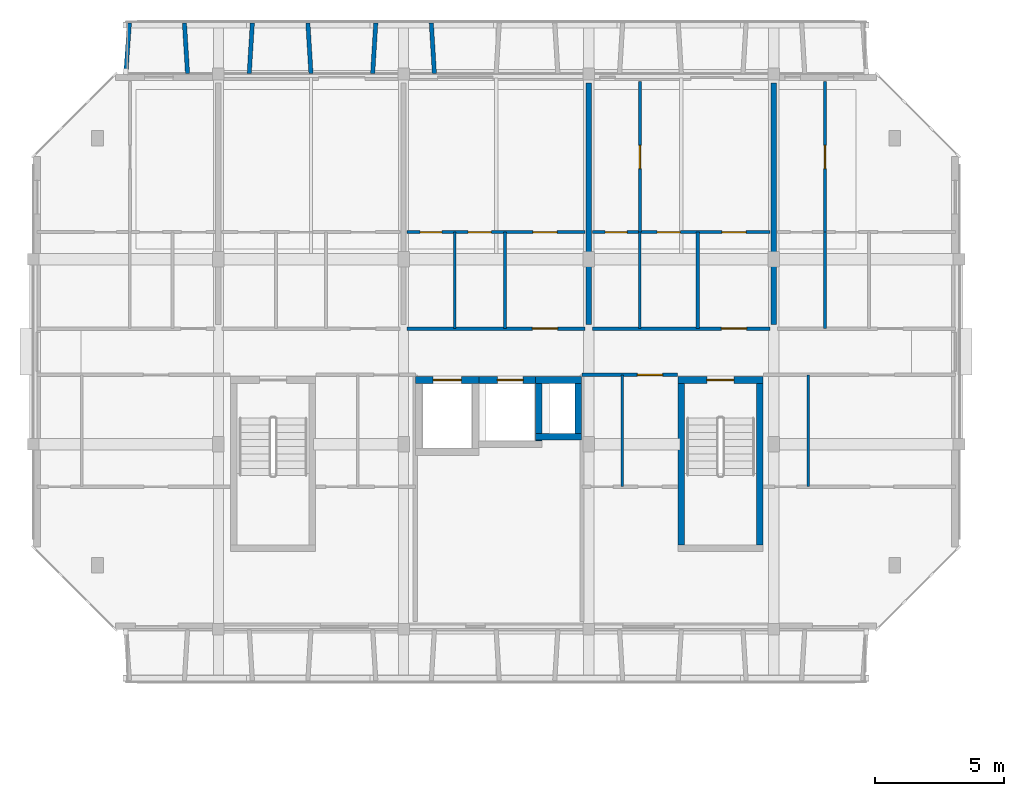
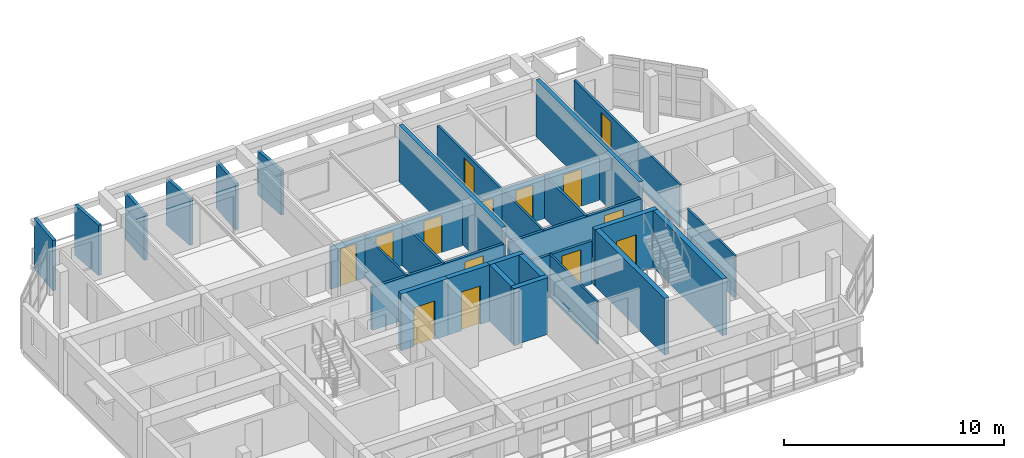
# One storey, part 23 of 43: 31 walls, 14 doors, 14 openings.
"""IFC4 building model written with IfcOpenShell, lengths in metres."""

from ifc_helpers import new_model, si_unit, direction, frame, frame_2d, origin, place, context, subcontext, project, spatial, rectangle, extrude, material, layer, layer_set, type_object, element, fill, save


model = new_model("IFC4")

# Units and contexts
model_context = context("Model", 3, precision=1e-05, world=origin(), true_north=direction((0.0, 1.0)))
body_context = subcontext(model_context, "Body", "Model", "MODEL_VIEW")
ifc_project = project(units=[si_unit("LENGTHUNIT", "METRE"), si_unit("AREAUNIT", "SQUARE_METRE"), si_unit("VOLUMEUNIT", "CUBIC_METRE"), si_unit("PLANEANGLEUNIT", "RADIAN"), si_unit("MASSUNIT", "GRAM", prefix="KILO")], contexts=[model_context])

# Site, building, storey
site_placement = place(None, origin())
site = spatial("IfcSite", under=ifc_project, at=site_placement, CompositionType="ELEMENT")
building_placement = place(site_placement, origin())
building = spatial("IfcBuilding", under=site, at=building_placement, Name="Ochrevale Crest", CompositionType="ELEMENT")
storey_placement = place(building_placement, frame((0.0, 0.0, 30.75)))
storey = spatial("IfcBuildingStorey", under=building, at=storey_placement, Name="L09", CompositionType="ELEMENT", Elevation=30.75)

# Wall, opening, door
ifc_material_1 = material(Name="Gypsum plasterboard", Category="gypsum")
ifc_layer_1 = layer(ifc_material_1, 0.139892578125)
ifc_layer_set_1 = layer_set([ifc_layer_1], Name="Gypsum plasterboard")
wall_type_1 = type_object("IfcWallType", Name="WL-COR-140", PredefinedType="PARTITIONING", material=ifc_layer_set_1)
wall_1_placement = place(storey_placement, frame((14.5400390625, 83.699951171875, 0.0), z_axis=(0.0, 0.0, 1.0), x_axis=(1.0, 0.0, 0.0)))
wall_1 = element("IfcWall", 1, at=wall_1_placement, inside=storey, type_object=wall_type_1, Name="Apartment B-L09-U3 corridor wall", PredefinedType="PARTITIONING", context=body_context, shape_type="SweptSolid", body=[
    extrude(rectangle(XDim=6.919921875, YDim=0.139892578125, at=frame_2d((3.4599609375, 0.0))), origin(), (0.0, 0.0, 1.0), 2.3798828125),
])
opening_1_placement = place(wall_1_placement, frame((5.85009765625, 0.0, 0.0), z_axis=(0.0, 0.0, 1.0), x_axis=(-1.0, 0.0, 0.0)))
opening_1 = element("IfcOpeningElement", 2, at=opening_1_placement, cuts=wall_1, Name="Opening FD01", PredefinedType="OPENING", context=body_context, shape_type="SweptSolid", body=[
    extrude(rectangle(XDim=0.97998046875, YDim=2.10009765625, at=frame_2d((0.489990234375, 1.050048828125))), frame((0.0, 0.080078125, 0.0), z_axis=(0.0, -1.0, 0.0), x_axis=(1.0, 0.0, 0.0)), (0.0, 0.0, 1.0), 0.159912109375),
])
ifc_material_2 = material(Name="Solid-core FSC hardwood", Category="wood")
door_type_1 = type_object("IfcDoorType", Name="DR-APT-950", OperationType="NOTDEFINED", PredefinedType="DOOR", material=ifc_material_2)
door_1_placement = place(opening_1_placement, origin())
door_1 = element("IfcDoor", 3, at=door_1_placement, inside=storey, type_object=door_type_1, Name="Apartment B-L09-U3 entrance door", OperationType="SINGLE_SWING_RIGHT", OverallHeight=2.10009765625, OverallWidth=0.97998046875, PredefinedType="DOOR", context=body_context, shape_type="SweptSolid", body=[
    extrude(rectangle(XDim=0.97998046875, YDim=2.10009765625, at=frame_2d((0.489990234375, 1.050048828125))), frame((0.0, 0.02490234375, 0.0), z_axis=(0.0, -1.0, 0.0), x_axis=(1.0, 0.0, 0.0)), (0.0, 0.0, 1.0), 0.050048828125),
])
fill(opening_1, door_1)

wall_2_placement = place(storey_placement, frame((21.739990234375, 83.699951171875, 0.0), z_axis=(0.0, 0.0, 1.0), x_axis=(1.0, 0.0, 0.0)))
wall_2 = element("IfcWall", 4, at=wall_2_placement, inside=storey, type_object=wall_type_1, Name="Apartment B-L09-U4 corridor wall", PredefinedType="PARTITIONING", context=body_context, shape_type="SweptSolid", body=[
    extrude(rectangle(XDim=6.919921875, YDim=0.139892578125, at=frame_2d((3.4599609375, 0.0))), origin(), (0.0, 0.0, 1.0), 2.3798828125),
])
opening_2_placement = place(wall_2_placement, frame((6.0, 0.0, 0.0), z_axis=(0.0, 0.0, 1.0), x_axis=(-1.0, 0.0, 0.0)))
opening_2 = element("IfcOpeningElement", 5, at=opening_2_placement, cuts=wall_2, Name="Opening FD01", PredefinedType="OPENING", context=body_context, shape_type="SweptSolid", body=[
    extrude(rectangle(XDim=0.97998046875, YDim=2.10009765625, at=frame_2d((0.489990234375, 1.050048828125))), frame((0.0, 0.080078125, 0.0), z_axis=(0.0, -1.0, 0.0), x_axis=(1.0, 0.0, 0.0)), (0.0, 0.0, 1.0), 0.159912109375),
])
door_2_placement = place(opening_2_placement, origin())
door_2 = element("IfcDoor", 6, at=door_2_placement, inside=storey, type_object=door_type_1, Name="Apartment B-L09-U4 entrance door", OperationType="SINGLE_SWING_RIGHT", OverallHeight=2.10009765625, OverallWidth=0.97998046875, PredefinedType="DOOR", context=body_context, shape_type="SweptSolid", body=[
    extrude(rectangle(XDim=0.97998046875, YDim=2.10009765625, at=frame_2d((0.489990234375, 1.050048828125))), frame((0.0, 0.02490234375, 0.0), z_axis=(0.0, -1.0, 0.0), x_axis=(1.0, 0.0, 0.0)), (0.0, 0.0, 1.0), 0.050048828125),
])
fill(opening_2, door_2)

wall_3_placement = place(storey_placement, frame((21.340087890625, 81.89990234375, 0.0), z_axis=(0.0, 0.0, 1.0), x_axis=(1.0, 0.0, 0.0)))
wall_3 = element("IfcWall", 7, at=wall_3_placement, inside=storey, type_object=wall_type_1, Name="Suite B-L09-ME corridor wall", PredefinedType="PARTITIONING", context=body_context, shape_type="SweptSolid", body=[
    extrude(rectangle(XDim=3.719970703125, YDim=0.139892578125, at=frame_2d((1.85986328125, 0.0))), origin(), (0.0, 0.0, 1.0), 2.3798828125),
])
opening_3_placement = place(wall_3_placement, frame((3.131103515625, 0.0, 0.0), z_axis=(0.0, 0.0, 1.0), x_axis=(-1.0, 0.0, 0.0)))
opening_3 = element("IfcOpeningElement", 8, at=opening_3_placement, cuts=wall_3, Name="Opening FD01", PredefinedType="OPENING", context=body_context, shape_type="SweptSolid", body=[
    extrude(rectangle(XDim=0.97998046875, YDim=2.10009765625, at=frame_2d((0.489990234375, 1.050048828125))), frame((0.0, 0.080078125, 0.0), z_axis=(0.0, -1.0, 0.0), x_axis=(1.0, 0.0, 0.0)), (0.0, 0.0, 1.0), 0.159912109375),
])
door_3_placement = place(opening_3_placement, origin())
door_3 = element("IfcDoor", 9, at=door_3_placement, inside=storey, type_object=door_type_1, Name="Suite B-L09-ME entrance door", OperationType="SINGLE_SWING_RIGHT", OverallHeight=2.10009765625, OverallWidth=0.97998046875, PredefinedType="DOOR", context=body_context, shape_type="SweptSolid", body=[
    extrude(rectangle(XDim=0.97998046875, YDim=2.10009765625, at=frame_2d((0.489990234375, 1.050048828125))), frame((0.0, 0.02490234375, 0.0), z_axis=(0.0, -1.0, 0.0), x_axis=(1.0, 0.0, 0.0)), (0.0, 0.0, 1.0), 0.050048828125),
])
fill(opening_3, door_3)

ifc_material_3 = material(Name="Precast concrete C50/60", Category="concrete")
ifc_layer_2 = layer(ifc_material_3, 0.2548828125)
ifc_layer_set_2 = layer_set([ifc_layer_2], Name="Precast concrete C50/60")
wall_type_2 = type_object("IfcWallType", Name="WL-CORE-255", PredefinedType="SHEAR", material=ifc_layer_set_2)
wall_4_placement = place(storey_placement, frame((25.072509765625, 81.699951171875, 0.0), z_axis=(0.0, 0.0, 1.0), x_axis=(1.0, 0.0, 0.0)))
wall_4 = element("IfcWall", 10, at=wall_4_placement, inside=storey, type_object=wall_type_2, Name="Block B L09 Stair 2 precast core shear wall N", PredefinedType="SHEAR", context=body_context, shape_type="SweptSolid", body=[
    extrude(rectangle(XDim=3.304931640625, YDim=0.2548828125, at=frame_2d((1.65234375, 0.0))), origin(), (0.0, 0.0, 1.0), 3.14990234375),
])
opening_4_placement = place(wall_4_placement, frame((1.12744140625, 0.0, 0.0)))
opening_4 = element("IfcOpeningElement", 11, at=opening_4_placement, cuts=wall_4, Name="Opening FD03", PredefinedType="OPENING", context=body_context, shape_type="SweptSolid", body=[
    extrude(rectangle(XDim=1.050048828125, YDim=2.1201171875, at=frame_2d((0.52490234375, 1.06005859375))), frame((0.0, 0.137451171875, 0.0), z_axis=(0.0, -1.0, 0.0), x_axis=(1.0, 0.0, 0.0)), (0.0, 0.0, 1.0), 0.27490234375),
])
door_type_2 = type_object("IfcDoorType", Name="DR-ST-1050", OperationType="NOTDEFINED", PredefinedType="DOOR", material=ifc_material_2)
door_4_placement = place(opening_4_placement, origin())
door_4 = element("IfcDoor", 12, at=door_4_placement, inside=storey, type_object=door_type_2, Name="Block B L09 fire stair 2 door", OperationType="SINGLE_SWING_LEFT", OverallHeight=2.1201171875, OverallWidth=1.050048828125, PredefinedType="DOOR", context=body_context, shape_type="SweptSolid", body=[
    extrude(rectangle(XDim=1.050048828125, YDim=2.1201171875, at=frame_2d((0.52490234375, 1.06005859375))), frame((0.0, 0.02490234375, 0.0), z_axis=(0.0, -1.0, 0.0), x_axis=(1.0, 0.0, 0.0)), (0.0, 0.0, 1.0), 0.050048828125),
])
fill(opening_4, door_4)

# Walls
for number, where, z_axis, x_axis, name in (
    (13, (25.199951171875, 75.277587890625, 0.0), (0.0, 0.0, 1.0), (0.0, 1.0, 0.0), "Block B L09 Stair 2 precast core shear wall W"),
    (14, (28.25, 75.277587890625, 0.0), (0.0, 0.0, 1.0), (0.0, 1.0, 0.0), "Block B L09 Stair 2 precast core shear wall E"),
):
    element("IfcWall", number, at=place(storey_placement, frame(where, z_axis=z_axis, x_axis=x_axis)), inside=storey, type_object=wall_type_2, Name=name, PredefinedType="SHEAR", context=body_context, shape_type="SweptSolid", body=[
        extrude(rectangle(XDim=6.294921875, YDim=0.2548828125, at=frame_2d((3.1474609375, 0.0))), origin(), (0.0, 0.0, 1.0), 3.14990234375),
    ])

# Wall, opening, door
wall_5_placement = place(storey_placement, frame((14.87255859375, 81.699951171875, 0.0), z_axis=(0.0, 0.0, 1.0), x_axis=(1.0, 0.0, 0.0)))
wall_5 = element("IfcWall", 15, at=wall_5_placement, inside=storey, type_object=wall_type_2, Name="Block B L09 Lift 1 precast shaft shear wall N", PredefinedType="SHEAR", context=body_context, shape_type="SweptSolid", body=[
    extrude(rectangle(XDim=2.454833984375, YDim=0.2548828125, at=frame_2d((1.2275390625, 0.0))), origin(), (0.0, 0.0, 1.0), 3.14990234375),
])
opening_5_placement = place(wall_5_placement, frame((0.677490234375, 0.0, 0.0)))
opening_5 = element("IfcOpeningElement", 16, at=opening_5_placement, cuts=wall_5, Name="Opening LD01", PredefinedType="OPENING", context=body_context, shape_type="SweptSolid", body=[
    extrude(rectangle(XDim=1.10009765625, YDim=2.14990234375, at=frame_2d((0.550048828125, 1.074951171875))), frame((0.0, 0.137451171875, 0.0), z_axis=(0.0, -1.0, 0.0), x_axis=(1.0, 0.0, 0.0)), (0.0, 0.0, 1.0), 0.27490234375),
])
door_type_3 = type_object("IfcDoorType", Name="DR-LIFT-1100", OperationType="NOTDEFINED", PredefinedType="DOOR", material=ifc_material_2)
door_5_placement = place(opening_5_placement, origin())
door_5 = element("IfcDoor", 17, at=door_5_placement, inside=storey, type_object=door_type_3, Name="Lift LF-B1 L09 sliding landing door", OperationType="SLIDING_TO_LEFT", OverallHeight=2.14990234375, OverallWidth=1.10009765625, PredefinedType="DOOR", context=body_context, shape_type="SweptSolid", body=[
    extrude(rectangle(XDim=1.10009765625, YDim=2.14990234375, at=frame_2d((0.550048828125, 1.074951171875))), frame((0.0, 0.02490234375, 0.0), z_axis=(0.0, -1.0, 0.0), x_axis=(1.0, 0.0, 0.0)), (0.0, 0.0, 1.0), 0.050048828125),
])
fill(opening_5, door_5)

wall_6_placement = place(storey_placement, frame((17.322509765625, 81.699951171875, 0.0), z_axis=(0.0, 0.0, 1.0), x_axis=(1.0, 0.0, 0.0)))
wall_6 = element("IfcWall", 18, at=wall_6_placement, inside=storey, type_object=wall_type_2, Name="Block B L09 Lift 2 precast shaft shear wall N", PredefinedType="SHEAR", context=body_context, shape_type="SweptSolid", body=[
    extrude(rectangle(XDim=2.455078125, YDim=0.2548828125, at=frame_2d((1.2275390625, 0.0))), origin(), (0.0, 0.0, 1.0), 3.14990234375),
])
opening_6_placement = place(wall_6_placement, frame((0.7275390625, 0.0, 0.0)))
opening_6 = element("IfcOpeningElement", 19, at=opening_6_placement, cuts=wall_6, Name="Opening LD02", PredefinedType="OPENING", context=body_context, shape_type="SweptSolid", body=[
    extrude(rectangle(XDim=1.0, YDim=2.14990234375, at=frame_2d((0.5, 1.074951171875))), frame((0.0, 0.137451171875, 0.0), z_axis=(0.0, -1.0, 0.0), x_axis=(1.0, 0.0, 0.0)), (0.0, 0.0, 1.0), 0.27490234375),
])
door_type_4 = type_object("IfcDoorType", Name="DR-LIFT-1000", OperationType="NOTDEFINED", PredefinedType="DOOR", material=ifc_material_2)
door_6_placement = place(opening_6_placement, origin())
door_6 = element("IfcDoor", 20, at=door_6_placement, inside=storey, type_object=door_type_4, Name="Lift LP-B2 L09 sliding landing door", OperationType="SLIDING_TO_RIGHT", OverallHeight=2.14990234375, OverallWidth=1.0, PredefinedType="DOOR", context=body_context, shape_type="SweptSolid", body=[
    extrude(rectangle(XDim=1.0, YDim=2.14990234375, at=frame_2d((0.5, 1.074951171875))), frame((0.0, 0.02490234375, 0.0), z_axis=(0.0, -1.0, 0.0), x_axis=(1.0, 0.0, 0.0)), (0.0, 0.0, 1.0), 0.050048828125),
])
fill(opening_6, door_6)

# Walls
wall_7_placement = place(storey_placement, frame((19.64990234375, 79.327392578125, 0.0), z_axis=(0.0, 0.0, 1.0), x_axis=(0.0, 1.0, 0.0)))
element("IfcWall", 21, at=wall_7_placement, inside=storey, type_object=wall_type_2, Name="Block B L09 Lift 2 precast shaft shear wall E", PredefinedType="SHEAR", context=body_context, shape_type="SweptSolid", body=[
    extrude(rectangle(XDim=2.2451171875, YDim=0.2548828125, at=frame_2d((1.12255859375, 0.0))), origin(), (0.0, 0.0, 1.0), 3.14990234375),
])
for number, where, z_axis, x_axis, name in (
    (22, (19.5224609375, 79.5, 0.0), (0.0, 0.0, 1.0), (1.0, 0.0, 0.0), "Block B L09 services riser shaft core wall S"),
    (23, (19.5224609375, 81.699951171875, 0.0), (0.0, 0.0, 1.0), (1.0, 0.0, 0.0), "Block B L09 services riser shaft core wall N"),
):
    element("IfcWall", number, at=place(storey_placement, frame(where, z_axis=z_axis, x_axis=x_axis)), inside=storey, type_object=wall_type_2, Name=name, PredefinedType="SHEAR", context=body_context, shape_type="SweptSolid", body=[
        extrude(rectangle(XDim=1.804931640625, YDim=0.2548828125, at=frame_2d((0.90234375, 0.0))), origin(), (0.0, 0.0, 1.0), 3.14990234375),
    ])
wall_8_placement = place(storey_placement, frame((21.199951171875, 79.62744140625, 0.0), z_axis=(0.0, 0.0, 1.0), x_axis=(0.0, 1.0, 0.0)))
element("IfcWall", 24, at=wall_8_placement, inside=storey, type_object=wall_type_2, Name="Block B L09 services riser shaft core wall E", PredefinedType="SHEAR", context=body_context, shape_type="SweptSolid", body=[
    extrude(rectangle(XDim=1.945068359375, YDim=0.2548828125, at=frame_2d((0.97265625, 0.0))), origin(), (0.0, 0.0, 1.0), 3.14990234375),
])
ifc_material_4 = material(Name="Precast concrete C40/50", Category="concrete")
ifc_layer_3 = layer(ifc_material_4, 0.1650390625)
ifc_layer_set_3 = layer_set([ifc_layer_3], Name="Precast concrete C40/50")
wall_type_3 = type_object("IfcWallType", Name="WL-HC-CHEEK-165", PredefinedType="ELEMENTEDWALL", material=ifc_layer_set_3)
wall_9_placement = place(storey_placement, frame((3.60009765625, 93.6201171875, 0.0), z_axis=(0.0, 0.0, 1.0), x_axis=(0.071194071069, 0.997462482625, 0.0)))
element("IfcWall", 25, at=wall_9_placement, inside=storey, type_object=wall_type_3, Name="Block B L09 N precast honeycomb cheek 1", PredefinedType="ELEMENTEDWALL", context=body_context, shape_type="SweptSolid", body=[
    extrude(rectangle(XDim=1.96484375, YDim=0.1650390625, at=frame_2d((0.982421875, 0.0))), origin(), (0.0, 0.0, 1.0), 2.800048828125),
])
wall_10_placement = place(storey_placement, frame((6.0, 93.6201171875, 0.0), z_axis=(0.0, 0.0, 1.0), x_axis=(-0.061170732449, 0.998127317276, 0.0)))
element("IfcWall", 26, at=wall_10_placement, inside=storey, type_object=wall_type_3, Name="Block B L09 N precast honeycomb cheek 2", PredefinedType="ELEMENTEDWALL", context=body_context, shape_type="SweptSolid", body=[
    extrude(rectangle(XDim=1.963623046875, YDim=0.1650390625, at=frame_2d((0.98193359375, 0.0))), origin(), (0.0, 0.0, 1.0), 2.800048828125),
])
for number, where, z_axis, x_axis, name in (
    (27, (8.39990234375, 93.6201171875, 0.0), (0.0, 0.0, 1.0), (0.061170732449, 0.998127317276, 0.0), "Block B L09 N precast honeycomb cheek 3"),
    (28, (10.800048828125, 93.6201171875, 0.0), (0.0, 0.0, 1.0), (-0.061170732449, 0.998127317276, 0.0), "Block B L09 N precast honeycomb cheek 4"),
    (29, (13.199951171875, 93.6201171875, 0.0), (0.0, 0.0, 1.0), (0.061170732449, 0.998127317276, 0.0), "Block B L09 N precast honeycomb cheek 5"),
):
    element("IfcWall", number, at=place(storey_placement, frame(where, z_axis=z_axis, x_axis=x_axis)), inside=storey, type_object=wall_type_3, Name=name, PredefinedType="ELEMENTEDWALL", context=body_context, shape_type="SweptSolid", body=[
        extrude(rectangle(XDim=1.963623046875, YDim=0.1650390625, at=frame_2d((0.98193359375, 0.0))), origin(), (0.0, 0.0, 1.0), 2.580078125),
    ])
wall_11_placement = place(storey_placement, frame((15.60009765625, 93.6201171875, 0.0), z_axis=(0.0, 0.0, 1.0), x_axis=(-0.061170732449, 0.998127317276, 0.0)))
element("IfcWall", 30, at=wall_11_placement, inside=storey, type_object=wall_type_3, Name="Block B L09 N precast honeycomb cheek 6", PredefinedType="ELEMENTEDWALL", context=body_context, shape_type="SweptSolid", body=[
    extrude(rectangle(XDim=1.963623046875, YDim=0.1650390625, at=frame_2d((0.98193359375, 0.0))), origin(), (0.0, 0.0, 1.0), 2.449951171875),
])
ifc_layer_4 = layer(ifc_material_1, 0.1201171875)
ifc_layer_set_4 = layer_set([ifc_layer_4], Name="Gypsum plasterboard")
wall_type_4 = type_object("IfcWallType", Name="WL-PART-120", PredefinedType="PARTITIONING", material=ifc_layer_set_4)
wall_12_placement = place(storey_placement, frame((18.340087890625, 83.699951171875, 0.0), z_axis=(0.0, 0.0, 1.0), x_axis=(0.0, 1.0, 0.0)))
element("IfcWall", 31, at=wall_12_placement, inside=storey, type_object=wall_type_4, Name="Apartment B-L09-U3 kitchen-foyer wall", PredefinedType="PARTITIONING", context=body_context, shape_type="SweptSolid", body=[
    extrude(rectangle(XDim=3.75, YDim=0.1201171875, at=frame_2d((1.875, 0.0))), origin(), (0.0, 0.0, 1.0), 2.3798828125),
])

# Wall, openings, doors
wall_13_placement = place(storey_placement, frame((14.5400390625, 87.449951171875, 0.0), z_axis=(0.0, 0.0, 1.0), x_axis=(1.0, 0.0, 0.0)))
wall_13 = element("IfcWall", 32, at=wall_13_placement, inside=storey, type_object=wall_type_4, Name="Apartment B-L09-U3 central partition", PredefinedType="PARTITIONING", context=body_context, shape_type="SweptSolid", body=[
    extrude(rectangle(XDim=6.919921875, YDim=0.1201171875, at=frame_2d((3.4599609375, 0.0))), origin(), (0.0, 0.0, 1.0), 2.3798828125),
])
opening_7_placement = place(wall_13_placement, frame((0.5, 0.0, 0.0)))
opening_7 = element("IfcOpeningElement", 33, at=opening_7_placement, cuts=wall_13, Name="Opening ID01", PredefinedType="OPENING", context=body_context, shape_type="SweptSolid", body=[
    extrude(rectangle(XDim=0.85009765625, YDim=2.080078125, at=frame_2d((0.425048828125, 1.0400390625))), frame((0.0, 0.070068359375, 0.0), z_axis=(0.0, -1.0, 0.0), x_axis=(1.0, 0.0, 0.0)), (0.0, 0.0, 1.0), 0.14013671875),
])
opening_8_placement = place(wall_13_placement, frame((3.27490234375, 0.0, 0.0), z_axis=(0.0, 0.0, 1.0), x_axis=(-1.0, 0.0, 0.0)))
opening_8 = element("IfcOpeningElement", 34, at=opening_8_placement, cuts=wall_13, Name="Opening ID02", PredefinedType="OPENING", context=body_context, shape_type="SweptSolid", body=[
    extrude(rectangle(XDim=0.89990234375, YDim=2.080078125, at=frame_2d((0.449951171875, 1.0400390625))), frame((0.0, 0.070068359375, 0.0), z_axis=(0.0, -1.0, 0.0), x_axis=(1.0, 0.0, 0.0)), (0.0, 0.0, 1.0), 0.14013671875),
])
opening_9_placement = place(wall_13_placement, frame((4.885009765625, 0.0, 0.0)))
opening_9 = element("IfcOpeningElement", 35, at=opening_9_placement, cuts=wall_13, Name="Opening ID06", PredefinedType="OPENING", context=body_context, shape_type="SweptSolid", body=[
    extrude(rectangle(XDim=0.949951171875, YDim=2.080078125, at=frame_2d((0.47509765625, 1.0400390625))), frame((0.0, 0.070068359375, 0.0), z_axis=(0.0, -1.0, 0.0), x_axis=(1.0, 0.0, 0.0)), (0.0, 0.0, 1.0), 0.14013671875),
])
door_type_5 = type_object("IfcDoorType", Name="DR-INT-900", OperationType="NOTDEFINED", PredefinedType="DOOR", material=ifc_material_2)
door_7_placement = place(opening_8_placement, origin())
door_7 = element("IfcDoor", 36, at=door_7_placement, inside=storey, type_object=door_type_5, Name="Apartment B-L09-U3 Kitchen door", OperationType="SINGLE_SWING_RIGHT", OverallHeight=2.080078125, OverallWidth=0.89990234375, PredefinedType="DOOR", context=body_context, shape_type="SweptSolid", body=[
    extrude(rectangle(XDim=0.89990234375, YDim=2.080078125, at=frame_2d((0.449951171875, 1.0400390625))), frame((0.0, 0.02490234375, 0.0), z_axis=(0.0, -1.0, 0.0), x_axis=(1.0, 0.0, 0.0)), (0.0, 0.0, 1.0), 0.050048828125),
])
fill(opening_8, door_7)
door_type_6 = type_object("IfcDoorType", Name="DR-INT-950", OperationType="NOTDEFINED", PredefinedType="DOOR", material=ifc_material_2)
door_8_placement = place(opening_9_placement, origin())
door_8 = element("IfcDoor", 37, at=door_8_placement, inside=storey, type_object=door_type_6, Name="Apartment B-L09-U3 Living Foyer door", OperationType="SINGLE_SWING_LEFT", OverallHeight=2.080078125, OverallWidth=0.949951171875, PredefinedType="DOOR", context=body_context, shape_type="SweptSolid", body=[
    extrude(rectangle(XDim=0.949951171875, YDim=2.080078125, at=frame_2d((0.47509765625, 1.0400390625))), frame((0.0, 0.02490234375, 0.0), z_axis=(0.0, -1.0, 0.0), x_axis=(1.0, 0.0, 0.0)), (0.0, 0.0, 1.0), 0.050048828125),
])
fill(opening_9, door_8)
door_type_7 = type_object("IfcDoorType", Name="DR-WC-850", OperationType="NOTDEFINED", PredefinedType="DOOR", material=ifc_material_2)
door_9_placement = place(opening_7_placement, origin())
door_9 = element("IfcDoor", 38, at=door_9_placement, inside=storey, type_object=door_type_7, Name="Apartment B-L09-U3 Bathroom door", OperationType="SINGLE_SWING_LEFT", OverallHeight=2.080078125, OverallWidth=0.85009765625, PredefinedType="DOOR", context=body_context, shape_type="SweptSolid", body=[
    extrude(rectangle(XDim=0.85009765625, YDim=2.080078125, at=frame_2d((0.425048828125, 1.0400390625))), frame((0.0, 0.02490234375, 0.0), z_axis=(0.0, -1.0, 0.0), x_axis=(1.0, 0.0, 0.0)), (0.0, 0.0, 1.0), 0.050048828125),
])
fill(opening_7, door_9)

# Wall
wall_14_placement = place(storey_placement, frame((25.840087890625, 83.699951171875, 0.0), z_axis=(0.0, 0.0, 1.0), x_axis=(0.0, 1.0, 0.0)))
element("IfcWall", 39, at=wall_14_placement, inside=storey, type_object=wall_type_4, Name="Apartment B-L09-U4 kitchen-foyer wall", PredefinedType="PARTITIONING", context=body_context, shape_type="SweptSolid", body=[
    extrude(rectangle(XDim=3.75, YDim=0.1201171875, at=frame_2d((1.875, 0.0))), origin(), (0.0, 0.0, 1.0), 2.3798828125),
])

# Wall, openings, doors
wall_15_placement = place(storey_placement, frame((21.739990234375, 87.449951171875, 0.0), z_axis=(0.0, 0.0, 1.0), x_axis=(1.0, 0.0, 0.0)))
wall_15 = element("IfcWall", 40, at=wall_15_placement, inside=storey, type_object=wall_type_4, Name="Apartment B-L09-U4 central partition", PredefinedType="PARTITIONING", context=body_context, shape_type="SweptSolid", body=[
    extrude(rectangle(XDim=6.919921875, YDim=0.1201171875, at=frame_2d((3.4599609375, 0.0))), origin(), (0.0, 0.0, 1.0), 2.3798828125),
])
opening_10_placement = place(wall_15_placement, frame((0.5, 0.0, 0.0)))
opening_10 = element("IfcOpeningElement", 41, at=opening_10_placement, cuts=wall_15, Name="Opening ID01", PredefinedType="OPENING", context=body_context, shape_type="SweptSolid", body=[
    extrude(rectangle(XDim=0.85009765625, YDim=2.080078125, at=frame_2d((0.425048828125, 1.0400390625))), frame((0.0, 0.070068359375, 0.0), z_axis=(0.0, -1.0, 0.0), x_axis=(1.0, 0.0, 0.0)), (0.0, 0.0, 1.0), 0.14013671875),
])
opening_11_placement = place(wall_15_placement, frame((3.4248046875, 0.0, 0.0), z_axis=(0.0, 0.0, 1.0), x_axis=(-1.0, 0.0, 0.0)))
opening_11 = element("IfcOpeningElement", 42, at=opening_11_placement, cuts=wall_15, Name="Opening ID02", PredefinedType="OPENING", context=body_context, shape_type="SweptSolid", body=[
    extrude(rectangle(XDim=0.89990234375, YDim=2.080078125, at=frame_2d((0.449951171875, 1.0400390625))), frame((0.0, 0.070068359375, 0.0), z_axis=(0.0, -1.0, 0.0), x_axis=(1.0, 0.0, 0.0)), (0.0, 0.0, 1.0), 0.14013671875),
])
opening_12_placement = place(wall_15_placement, frame((5.034912109375, 0.0, 0.0)))
opening_12 = element("IfcOpeningElement", 43, at=opening_12_placement, cuts=wall_15, Name="Opening ID06", PredefinedType="OPENING", context=body_context, shape_type="SweptSolid", body=[
    extrude(rectangle(XDim=0.949951171875, YDim=2.080078125, at=frame_2d((0.47509765625, 1.0400390625))), frame((0.0, 0.070068359375, 0.0), z_axis=(0.0, -1.0, 0.0), x_axis=(1.0, 0.0, 0.0)), (0.0, 0.0, 1.0), 0.14013671875),
])
door_10_placement = place(opening_11_placement, origin())
door_10 = element("IfcDoor", 44, at=door_10_placement, inside=storey, type_object=door_type_5, Name="Apartment B-L09-U4 Kitchen door", OperationType="SINGLE_SWING_RIGHT", OverallHeight=2.080078125, OverallWidth=0.89990234375, PredefinedType="DOOR", context=body_context, shape_type="SweptSolid", body=[
    extrude(rectangle(XDim=0.89990234375, YDim=2.080078125, at=frame_2d((0.449951171875, 1.0400390625))), frame((0.0, 0.02490234375, 0.0), z_axis=(0.0, -1.0, 0.0), x_axis=(1.0, 0.0, 0.0)), (0.0, 0.0, 1.0), 0.050048828125),
])
fill(opening_11, door_10)
door_11_placement = place(opening_12_placement, origin())
door_11 = element("IfcDoor", 45, at=door_11_placement, inside=storey, type_object=door_type_6, Name="Apartment B-L09-U4 Living Foyer door", OperationType="SINGLE_SWING_LEFT", OverallHeight=2.080078125, OverallWidth=0.949951171875, PredefinedType="DOOR", context=body_context, shape_type="SweptSolid", body=[
    extrude(rectangle(XDim=0.949951171875, YDim=2.080078125, at=frame_2d((0.47509765625, 1.0400390625))), frame((0.0, 0.02490234375, 0.0), z_axis=(0.0, -1.0, 0.0), x_axis=(1.0, 0.0, 0.0)), (0.0, 0.0, 1.0), 0.050048828125),
])
fill(opening_12, door_11)
door_12_placement = place(opening_10_placement, origin())
door_12 = element("IfcDoor", 46, at=door_12_placement, inside=storey, type_object=door_type_7, Name="Apartment B-L09-U4 Bathroom door", OperationType="SINGLE_SWING_LEFT", OverallHeight=2.080078125, OverallWidth=0.85009765625, PredefinedType="DOOR", context=body_context, shape_type="SweptSolid", body=[
    extrude(rectangle(XDim=0.85009765625, YDim=2.080078125, at=frame_2d((0.425048828125, 1.0400390625))), frame((0.0, 0.02490234375, 0.0), z_axis=(0.0, -1.0, 0.0), x_axis=(1.0, 0.0, 0.0)), (0.0, 0.0, 1.0), 0.050048828125),
])
fill(opening_10, door_12)

# Wall, opening, door
wall_16_placement = place(storey_placement, frame((23.590087890625, 87.449951171875, 0.0), z_axis=(0.0, 0.0, 1.0), x_axis=(0.0, 1.0, 0.0)))
wall_16 = element("IfcWall", 47, at=wall_16_placement, inside=storey, type_object=wall_type_4, Name="Apartment B-L09-U4 bedroom partition", PredefinedType="PARTITIONING", context=body_context, shape_type="SweptSolid", body=[
    extrude(rectangle(XDim=5.85009765625, YDim=0.1201171875, at=frame_2d((2.925048828125, 0.0))), origin(), (0.0, 0.0, 1.0), 2.3798828125),
])
opening_13_placement = place(wall_16_placement, frame((3.375, 0.0, 0.0), z_axis=(0.0, 0.0, 1.0), x_axis=(-1.0, 0.0, 0.0)))
opening_13 = element("IfcOpeningElement", 48, at=opening_13_placement, cuts=wall_16, Name="Opening ID02", PredefinedType="OPENING", context=body_context, shape_type="SweptSolid", body=[
    extrude(rectangle(XDim=0.89990234375, YDim=2.080078125, at=frame_2d((0.449951171875, 1.0400390625))), frame((0.0, 0.070068359375, 0.0), z_axis=(0.0, -1.0, 0.0), x_axis=(1.0, 0.0, 0.0)), (0.0, 0.0, 1.0), 0.14013671875),
])
door_13_placement = place(opening_13_placement, origin())
door_13 = element("IfcDoor", 49, at=door_13_placement, inside=storey, type_object=door_type_5, Name="Apartment B-L09-U4 Double Bedroom door", OperationType="SINGLE_SWING_RIGHT", OverallHeight=2.080078125, OverallWidth=0.89990234375, PredefinedType="DOOR", context=body_context, shape_type="SweptSolid", body=[
    extrude(rectangle(XDim=0.89990234375, YDim=2.080078125, at=frame_2d((0.449951171875, 1.0400390625))), frame((0.0, 0.02490234375, 0.0), z_axis=(0.0, -1.0, 0.0), x_axis=(1.0, 0.0, 0.0)), (0.0, 0.0, 1.0), 0.050048828125),
])
fill(opening_13, door_13)

wall_17_placement = place(storey_placement, frame((30.7900390625, 87.449951171875, 0.0), z_axis=(0.0, 0.0, 1.0), x_axis=(0.0, 1.0, 0.0)))
wall_17 = element("IfcWall", 50, at=wall_17_placement, inside=storey, type_object=wall_type_4, Name="Apartment B-L09-U5 bedroom partition", PredefinedType="PARTITIONING", context=body_context, shape_type="SweptSolid", body=[
    extrude(rectangle(XDim=5.85009765625, YDim=0.1201171875, at=frame_2d((2.925048828125, 0.0))), origin(), (0.0, 0.0, 1.0), 2.3798828125),
])
opening_14_placement = place(wall_17_placement, frame((2.47509765625, 0.0, 0.0)))
opening_14 = element("IfcOpeningElement", 51, at=opening_14_placement, cuts=wall_17, Name="Opening ID02", PredefinedType="OPENING", context=body_context, shape_type="SweptSolid", body=[
    extrude(rectangle(XDim=0.89990234375, YDim=2.080078125, at=frame_2d((0.449951171875, 1.0400390625))), frame((0.0, 0.070068359375, 0.0), z_axis=(0.0, -1.0, 0.0), x_axis=(1.0, 0.0, 0.0)), (0.0, 0.0, 1.0), 0.14013671875),
])
door_14_placement = place(opening_14_placement, origin())
door_14 = element("IfcDoor", 52, at=door_14_placement, inside=storey, type_object=door_type_5, Name="Apartment B-L09-U5 Master Bedroom door", OperationType="SINGLE_SWING_LEFT", OverallHeight=2.080078125, OverallWidth=0.89990234375, PredefinedType="DOOR", context=body_context, shape_type="SweptSolid", body=[
    extrude(rectangle(XDim=0.89990234375, YDim=2.080078125, at=frame_2d((0.449951171875, 1.0400390625))), frame((0.0, 0.02490234375, 0.0), z_axis=(0.0, -1.0, 0.0), x_axis=(1.0, 0.0, 0.0)), (0.0, 0.0, 1.0), 0.050048828125),
])
fill(opening_14, door_14)

# Walls
ifc_layer_5 = layer(ifc_material_4, 0.2099609375)
ifc_layer_set_5 = layer_set([ifc_layer_5], Name="Precast concrete C40/50")
wall_type_5 = type_object("IfcWallType", Name="WL-SHEAR-210", PredefinedType="SHEAR", material=ifc_layer_set_5)
for number, where, z_axis, x_axis, name in (
    (53, (21.60009765625, 83.85009765625, 0.0), (0.0, 0.0, 1.0), (0.0, 1.0, 0.0), "Block B L09 load-bearing precast cross-wall X=21.6"),
    (54, (28.800048828125, 83.85009765625, 0.0), (0.0, 0.0, 1.0), (0.0, 1.0, 0.0), "Block B L09 load-bearing precast cross-wall X=28.8"),
):
    element("IfcWall", number, at=place(storey_placement, frame(where, z_axis=z_axis, x_axis=x_axis)), inside=storey, type_object=wall_type_5, Name=name, PredefinedType="SHEAR", context=body_context, shape_type="SweptSolid", body=[
        extrude(rectangle(XDim=9.39990234375, YDim=0.2099609375, at=frame_2d((4.699951171875, 0.0))), origin(), (0.0, 0.0, 1.0), 3.14990234375),
    ])
ifc_layer_6 = layer(ifc_material_1, 0.10009765625)
ifc_layer_set_6 = layer_set([ifc_layer_6], Name="Gypsum plasterboard")
wall_type_6 = type_object("IfcWallType", Name="WL-WET-100", PredefinedType="PARTITIONING", material=ifc_layer_set_6)
for number, where, z_axis, x_axis, name in (
    (55, (16.389892578125, 83.699951171875, 0.0), (0.0, 0.0, 1.0), (0.0, 1.0, 0.0), "Apartment B-L09-U3 bath-kitchen wall"),
    (56, (23.590087890625, 83.699951171875, 0.0), (0.0, 0.0, 1.0), (0.0, 1.0, 0.0), "Apartment B-L09-U4 bath-kitchen wall"),
    (57, (30.7900390625, 83.699951171875, 0.0), (0.0, 0.0, 1.0), (0.0, 1.0, 0.0), "Apartment B-L09-U5 bath-kitchen wall"),
):
    element("IfcWall", number, at=place(storey_placement, frame(where, z_axis=z_axis, x_axis=x_axis)), inside=storey, type_object=wall_type_6, Name=name, PredefinedType="PARTITIONING", context=body_context, shape_type="SweptSolid", body=[
        extrude(rectangle(XDim=3.75, YDim=0.10009765625, at=frame_2d((1.875, 0.0))), origin(), (0.0, 0.0, 1.0), 2.3798828125),
    ])
for number, where, z_axis, x_axis, name in (
    (58, (22.90234375, 77.550048828125, 0.0), (0.0, 0.0, 1.0), (0.0, 1.0, 0.0), "Suite B-L09-ME bathroom divider"),
    (59, (30.139892578125, 77.550048828125, 0.0), (0.0, 0.0, 1.0), (0.0, 1.0, 0.0), "Suite B-L09-CE bathroom divider"),
):
    element("IfcWall", number, at=place(storey_placement, frame(where, z_axis=z_axis, x_axis=x_axis)), inside=storey, type_object=wall_type_6, Name=name, PredefinedType="PARTITIONING", context=body_context, shape_type="SweptSolid", body=[
        extrude(rectangle(XDim=4.349853515625, YDim=0.10009765625, at=frame_2d((2.1748046875, 0.0))), origin(), (0.0, 0.0, 1.0), 2.3798828125),
    ])

save(model, "model.ifc")
